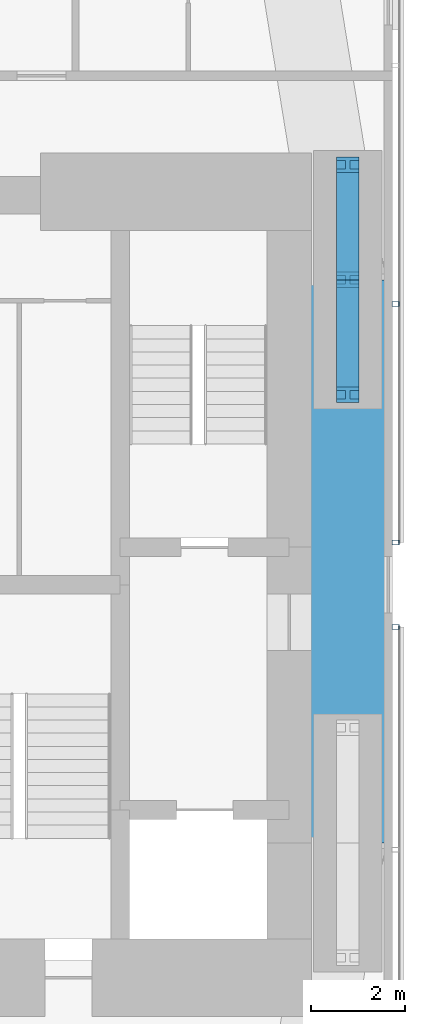
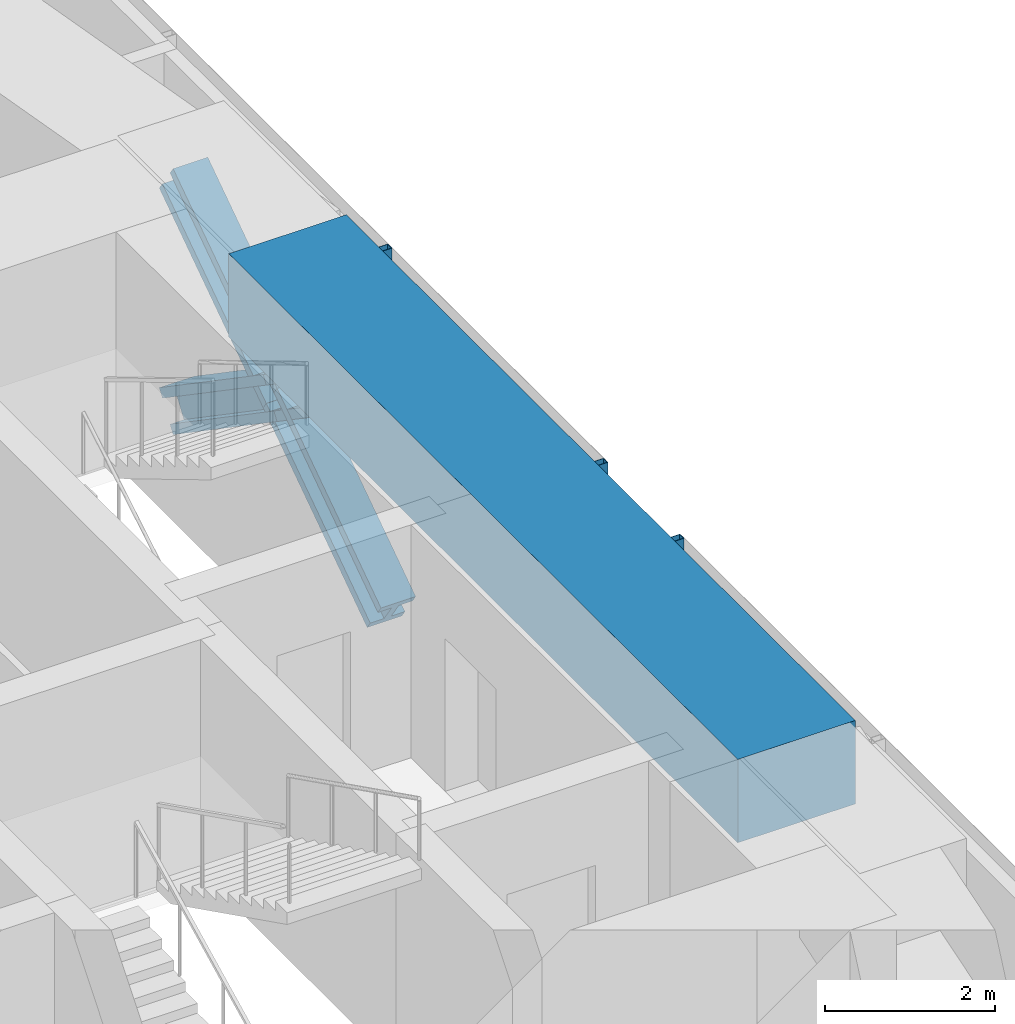
# One storey, part 10 of 24: 7 members, 1 beam, 2 elements without a shape of their own.
"""IFC4 building model written with IfcOpenShell, lengths in metres."""

from ifc_helpers import new_model, si_unit, direction, frame, origin, origin_2d, place, context, subcontext, project, spatial, rectangle, hollow_rectangle, i_section, extrude, material, material_profile, profile_set, type_object, element, aggregate, save


model = new_model("IFC4")

# Units and contexts
model_context = context("Model", 3, precision=1e-05, world=origin(), true_north=direction((0.0, 1.0)))
body_context = subcontext(model_context, "Body", "Model", "MODEL_VIEW")
ifc_project = project(units=[si_unit("LENGTHUNIT", "METRE"), si_unit("AREAUNIT", "SQUARE_METRE"), si_unit("VOLUMEUNIT", "CUBIC_METRE"), si_unit("PLANEANGLEUNIT", "RADIAN"), si_unit("MASSUNIT", "GRAM", prefix="KILO")], contexts=[model_context])

# Site, building, storey
site_placement = place(None, origin())
site = spatial("IfcSite", under=ifc_project, at=site_placement, CompositionType="ELEMENT")
building_placement = place(site_placement, origin())
building = spatial("IfcBuilding", under=site, at=building_placement, Name="Jalousie Tower", CompositionType="ELEMENT")
storey_placement = place(building_placement, frame((0.0, 0.0, 51.14990234375)))
storey = spatial("IfcBuildingStorey", under=building, at=storey_placement, Name="L13", CompositionType="ELEMENT", Elevation=51.14990234375)

# Members
ifc_material_1 = material(Name="Steel ASTM A992 Grade 50", Category="steel")
ifc_material_profile_1 = material_profile(ifc_material_1, i_section(OverallWidth=0.472412109375, OverallDepth=0.5791015625, WebThickness=0.094970703125, FlangeThickness=0.1298828125, at=origin_2d()), Name="W14X808")
ifc_profile_set_1 = profile_set([ifc_material_profile_1], Name="Steel ASTM A992 Grade 50")
member_type_1 = type_object("IfcMemberType", Name="PERIMETER BRACE W14X808", PredefinedType="BRACE", material=ifc_profile_set_1)
for number, where, z_axis, x_axis, name in (
    (1, (45.050048828125, 22.550048828125, -0.599853515625), (0.0, 0.825500916831, 0.564400776321), (-1.0, 0.0, 0.0), "Perimeter brace 07 L13 part 1"),
    (2, (45.050048828125, 25.0, 1.0751953125), (0.0, 0.825539243753, 0.564344714713), (-1.0, 0.0, 0.0), "Perimeter brace 07 L13 part 2"),
    (3, (45.050048828125, 27.449951171875, -0.599853515625), (0.0, -0.825500916831, 0.564400776321), (1.0, 0.0, 0.0), "Perimeter brace 07 L13 part 3"),
    (4, (45.050048828125, 25.0, 1.0751953125), (0.0, -0.825539243753, 0.564344714713), (1.0, 0.0, 0.0), "Perimeter brace 07 L13 part 4"),
):
    element("IfcMember", number, at=place(storey_placement, frame(where, z_axis=z_axis, x_axis=x_axis)), inside=storey, type_object=member_type_1, Name=name, PredefinedType="BRACE", context=body_context, shape_type="SweptSolid", body=[
        extrude(i_section(OverallWidth=0.472412109375, OverallDepth=0.5791015625, WebThickness=0.094970703125, FlangeThickness=0.1298828125, at=origin_2d()), origin(), (0.0, 0.0, 1.0), 2.9677734375),
    ])

# Beam
ifc_material_2 = material(Name="Concrete f'c 40 MPa", Category="concrete")
ifc_material_profile_2 = material_profile(ifc_material_2, rectangle(XDim=1.60009765625, YDim=1.199951171875, at=origin_2d()), Name="RC 1600x1200")
ifc_profile_set_2 = profile_set([ifc_material_profile_2], Name="Concrete f'c 40 MPa")
beam_type = type_object("IfcBeamType", Name="RC BEAM 1600x1200", PredefinedType="BEAM", material=ifc_profile_set_2)
beam_placement = place(storey_placement, frame((45.050048828125, 13.0, 2.75), z_axis=(0.0, 1.0, 0.0), x_axis=(-1.0, 0.0, 0.0)))
element("IfcBeam", 5, at=beam_placement, inside=storey, type_object=beam_type, Name="Edge band beam 06-07 under L14", PredefinedType="BEAM", context=body_context, shape_type="SweptSolid", body=[
    extrude(rectangle(XDim=1.60009765625, YDim=1.199951171875, at=origin_2d()), origin(), (0.0, 0.0, 1.0), 12.0),
])

# Curtain wall, member
ifc_material_3 = material(Name="Perforated aluminium sheet", Category="aluminium")
curtain_wall_type = type_object("IfcCurtainWallType", Name="SOLAR SCREEN SS-1", PredefinedType="USERDEFINED", material=ifc_material_3)
curtain_wall_1_placement = place(storey_placement, origin())
curtain_wall_1 = element("IfcCurtainWall", 6, at=curtain_wall_1_placement, inside=storey, type_object=curtain_wall_type, Name="Solar screen L13", ObjectType="SOLAR SCREEN SS-1", PredefinedType="USERDEFINED")
ifc_material_4 = material(Name="Steel ASTM A500 Grade C", Category="steel")
ifc_material_profile_3 = material_profile(ifc_material_4, hollow_rectangle(XDim=0.1015625, YDim=0.15234375, WallThickness=0.00634765625, at=origin_2d()), Name="HSS6X4X1/4")
ifc_profile_set_3 = profile_set([ifc_material_profile_3], Name="Steel ASTM A500 Grade C")
member_type_2 = type_object("IfcMemberType", Name="SOLAR SCREEN SS-1 MULLION", PredefinedType="MULLION", material=ifc_profile_set_3)
member_1_placement = place(storey_placement, frame((46.0712890625, 17.60009765625, -0.119873046875), z_axis=(0.0, 0.0, 1.0), x_axis=(0.0, 1.0, 0.0)))
member_1 = element("IfcMember", 7, at=member_1_placement, type_object=member_type_2, Name="SS1 post 4", PredefinedType="MULLION", context=body_context, shape_type="SweptSolid", body=[
    extrude(hollow_rectangle(XDim=0.1015625, YDim=0.15234375, WallThickness=0.00634765625, at=origin_2d()), origin(), (0.0, 0.0, 1.0), 3.22998046875),
])
aggregate(curtain_wall_1, [member_1])

# Curtain wall, members
curtain_wall_2_placement = place(storey_placement, origin())
curtain_wall_2 = element("IfcCurtainWall", 8, at=curtain_wall_2_placement, inside=storey, type_object=curtain_wall_type, Name="Solar screen L13", ObjectType="SOLAR SCREEN SS-1", PredefinedType="USERDEFINED")
member_2_placement = place(storey_placement, frame((46.0712890625, 19.39990234375, -0.119873046875), z_axis=(0.0, 0.0, 1.0), x_axis=(0.0, 1.0, 0.0)))
member_2 = element("IfcMember", 9, at=member_2_placement, type_object=member_type_2, Name="SS1 post 1", PredefinedType="MULLION", context=body_context, shape_type="SweptSolid", body=[
    extrude(hollow_rectangle(XDim=0.1015625, YDim=0.15234375, WallThickness=0.00634765625, at=origin_2d()), origin(), (0.0, 0.0, 1.0), 3.22998046875),
])
member_3_placement = place(storey_placement, frame((46.0712890625, 24.48291015625, -0.119873046875), z_axis=(0.0, 0.0, 1.0), x_axis=(0.0, 1.0, 0.0)))
member_3 = element("IfcMember", 10, at=member_3_placement, type_object=member_type_2, Name="SS1 post 2", PredefinedType="MULLION", context=body_context, shape_type="SweptSolid", body=[
    extrude(hollow_rectangle(XDim=0.1015625, YDim=0.15234375, WallThickness=0.00634765625, at=origin_2d()), origin(), (0.0, 0.0, 1.0), 3.22998046875),
])
aggregate(curtain_wall_2, [member_2, member_3])

save(model, "model.ifc")
